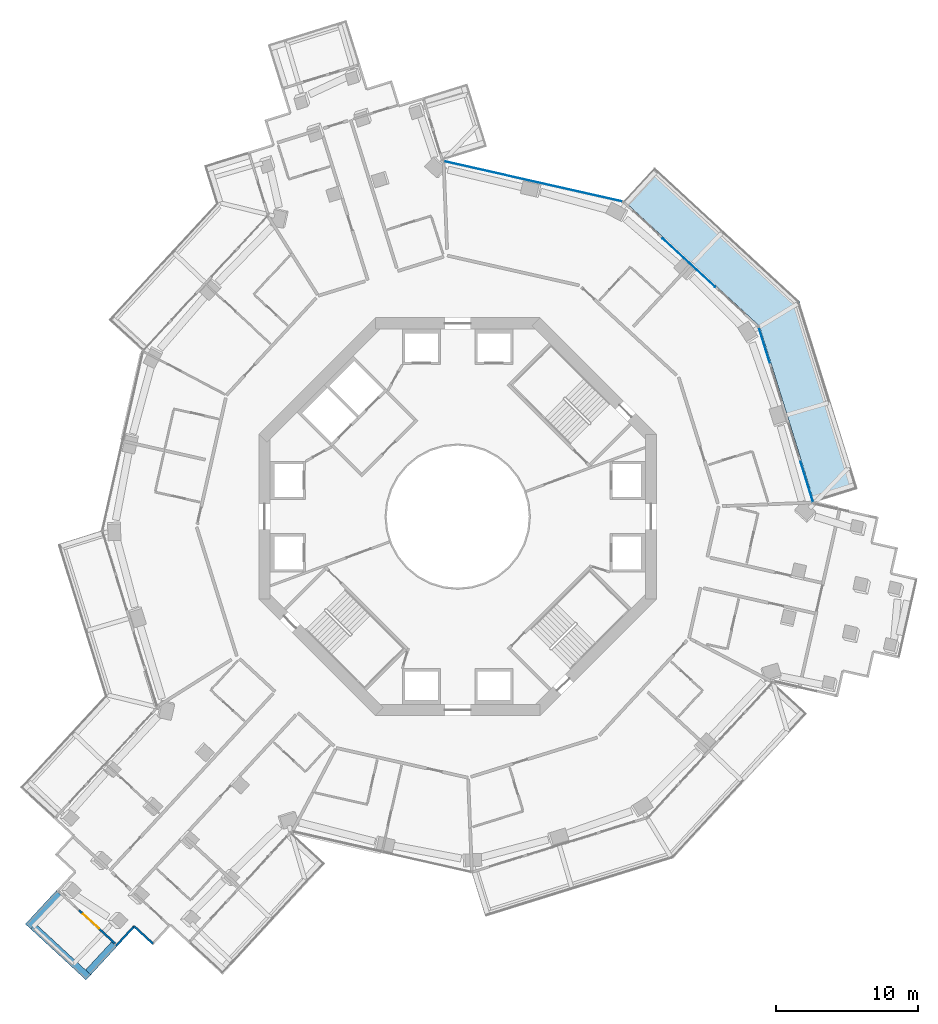
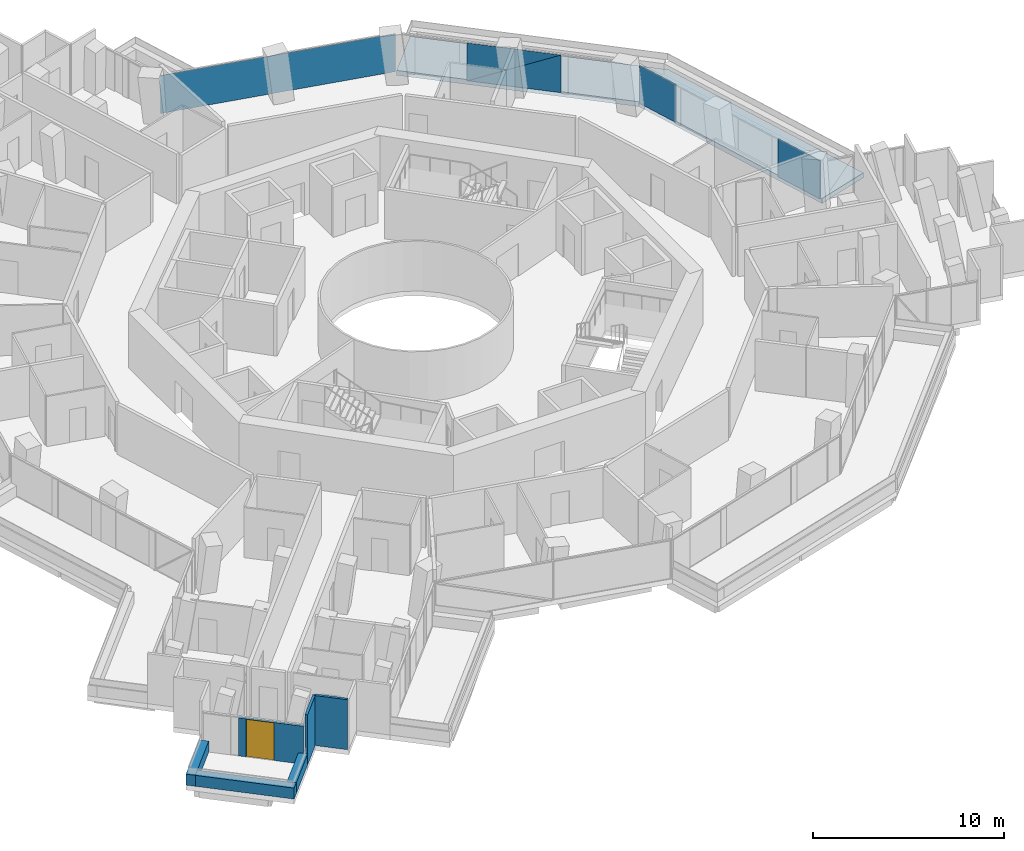
# One storey, part 16 of 25: 6 walls, 5 plates, 1 door, 1 slab, 1 opening, 3 elements without a shape of their own.
"""IFC4 building model written with IfcOpenShell, lengths in metres."""

from ifc_helpers import new_model, si_unit, direction, frame, frame_2d, origin, origin_2d, place, context, subcontext, project, spatial, polyline, rectangle, outline, extrude, material, layer, layer_set, type_object, element, fill, aggregate, save


model = new_model("IFC4")

# Units and contexts
model_context = context("Model", 3, precision=1e-05, world=origin(), true_north=direction((0.0, 1.0)))
body_context = subcontext(model_context, "Body", "Model", "MODEL_VIEW")
ifc_project = project(units=[si_unit("LENGTHUNIT", "METRE"), si_unit("AREAUNIT", "SQUARE_METRE"), si_unit("VOLUMEUNIT", "CUBIC_METRE"), si_unit("PLANEANGLEUNIT", "RADIAN"), si_unit("MASSUNIT", "GRAM", prefix="KILO")], contexts=[model_context])

# Site, building, storey
site_placement = place(None, origin())
site = spatial("IfcSite", under=ifc_project, at=site_placement, CompositionType="ELEMENT")
building_placement = place(site_placement, origin())
building = spatial("IfcBuilding", under=site, at=building_placement, Name="Verdalira Terraces Hotel", CompositionType="ELEMENT")
storey_placement = place(building_placement, frame((0.0, 0.0, 103.5)))
storey = spatial("IfcBuildingStorey", under=building, at=storey_placement, Name="L24", CompositionType="ELEMENT", Elevation=103.5)

# Slab
ifc_material_1 = material(Name="Precast concrete C40/50", Category="concrete")
ifc_layer_1 = layer(ifc_material_1, 0.31005859375)
ifc_layer_set_1 = layer_set([ifc_layer_1], Name="Balcony deck 310")
slab_type = type_object("IfcSlabType", Name="Balcony deck 310", PredefinedType="FLOOR", material=ifc_layer_set_1)
slab_placement = place(storey_placement, frame((0.0, 0.0, -0.310059)))
element("IfcSlab", 1, at=slab_placement, inside=storey, type_object=slab_type, Name="Balcony deck", PredefinedType="FLOOR", context=body_context, shape_type="SweptSolid", body=[
    extrude(outline(polyline([(13.852783, 24.582764), (11.681885, 22.231689), (21.232666, 13.412354), (25.094238, 0.999023), (28.149658, 1.949707), (24.033447, 15.181641), (13.852783, 24.582764)])), origin(), (0.0, 0.0, 1.0), 0.310059),
])

# Curtain wall, plates
ifc_material_2 = material(Name="Clear glass", Category="glass")
ifc_layer_2 = layer(ifc_material_2, 0.14990234375)
ifc_layer_set_2 = layer_set([ifc_layer_2], Name="CW1 curtain wall")
curtain_wall_type = type_object("IfcCurtainWallType", Name="CW1 curtain wall", PredefinedType="NOTDEFINED", material=ifc_layer_set_2)
curtain_wall_1_placement = place(storey_placement, origin())
curtain_wall_1 = element("IfcCurtainWall", 2, at=curtain_wall_1_placement, inside=storey, type_object=curtain_wall_type, Name="CW1 curtain wall L24 edge 39", PredefinedType="NOTDEFINED")
ifc_material_3 = material(Name="Clear glass", Category="glass")
ifc_layer_3 = layer(ifc_material_3, 0.028076171875)
ifc_layer_set_3 = layer_set([ifc_layer_3], Name="CW1 glass unit 28")
plate_type = type_object("IfcPlateType", Name="CW1 glass unit 28", PredefinedType="CURTAIN_PANEL", material=ifc_layer_set_3)
plate_1_placement = place(storey_placement, frame((24.564453, 2.449707, 0.0), z_axis=(0.0, 0.0, 1.0), x_axis=(-0.297041582, 0.954864545, 0.0)))
plate_1 = element("IfcPlate", 3, at=plate_1_placement, type_object=plate_type, Name="CW1 glass unit", PredefinedType="CURTAIN_PANEL", context=body_context, shape_type="SweptSolid", body=[
    extrude(rectangle(XDim=2.965088, YDim=0.028076, at=origin_2d()), origin(), (0.0, 0.0, 1.0), 2.425049),
])
plate_2_placement = place(storey_placement, frame((21.571533, 12.070068, 0.0), z_axis=(0.0, 0.0, 1.0), x_axis=(-0.297041582, 0.954864545, 0.0)))
plate_2 = element("IfcPlate", 4, at=plate_2_placement, type_object=plate_type, Name="CW1 glass unit", PredefinedType="CURTAIN_PANEL", context=body_context, shape_type="SweptSolid", body=[
    extrude(rectangle(XDim=2.564209, YDim=0.028076, at=origin_2d()), origin(), (0.0, 0.0, 1.0), 2.425049),
])
aggregate(curtain_wall_1, [plate_1, plate_2])

curtain_wall_2_placement = place(storey_placement, origin())
curtain_wall_2 = element("IfcCurtainWall", 5, at=curtain_wall_2_placement, inside=storey, type_object=curtain_wall_type, Name="CW1 curtain wall L24 edge 40", PredefinedType="NOTDEFINED")
plate_3_placement = place(storey_placement, frame((16.265381, 17.87793, 1.212402), z_axis=(0.678416162, 0.734677828, 0.0), x_axis=(-0.734677828, 0.678416162, 0.0)))
plate_3 = element("IfcPlate", 6, at=plate_3_placement, type_object=plate_type, Name="CW1 glass unit", PredefinedType="CURTAIN_PANEL", context=body_context, shape_type="SweptSolid", body=[
    extrude(outline(polyline([(-2.510742, -1.212402), (2.510742, -1.212402), (-2.510742, 1.212402), (-2.510742, -1.212402)])), origin(), (0.0, 0.0, 1.0), 0.028076),
])
plate_4_placement = place(storey_placement, frame((16.245605, 17.856445, 1.212402), z_axis=(0.678416162, 0.734677828, 0.0), x_axis=(-0.734677828, 0.678416162, 0.0)))
plate_4 = element("IfcPlate", 7, at=plate_4_placement, type_object=plate_type, Name="CW1 glass unit", PredefinedType="CURTAIN_PANEL", context=body_context, shape_type="SweptSolid", body=[
    extrude(outline(polyline([(2.510742, -1.212402), (2.510742, 1.212402), (-2.510742, 1.212402), (2.510742, -1.212402)])), origin(), (0.0, 0.0, 1.0), 0.028076),
])
aggregate(curtain_wall_2, [plate_3, plate_4])

# Curtain wall, plate
curtain_wall_3_placement = place(storey_placement, origin())
curtain_wall_3 = element("IfcCurtainWall", 8, at=curtain_wall_3_placement, inside=storey, type_object=curtain_wall_type, Name="CW1 curtain wall L24 edge 41", PredefinedType="NOTDEFINED")
plate_5_placement = place(storey_placement, frame((5.305176, 23.594238, 0.0), z_axis=(0.0, 0.0, 1.0), x_axis=(-0.975457744, 0.220186717, 0.0)))
plate_5 = element("IfcPlate", 9, at=plate_5_placement, type_object=plate_type, Name="CW1 glass unit", PredefinedType="CURTAIN_PANEL", context=body_context, shape_type="SweptSolid", body=[
    extrude(rectangle(XDim=12.839844, YDim=0.028076, at=origin_2d()), origin(), (0.0, 0.0, 1.0), 2.425049),
])
aggregate(curtain_wall_3, [plate_5])

# Walls
ifc_material_4 = material(Name="Concrete C40", Category="concrete")
ifc_layer_4 = layer(ifc_material_4, 0.5)
ifc_layer_set_4 = layer_set([ifc_layer_4], Name="Balcony planter trough with tree")
wall_type_1 = type_object("IfcWallType", Name="Balcony planter trough with tree", PredefinedType="SOLIDWALL", material=ifc_layer_set_4)
wall_1_placement = place(storey_placement, frame((-28.06665, -26.488037, 0.0), z_axis=(0.0, 0.0, 1.0), x_axis=(-0.678384697, -0.734706882, 0.0)))
element("IfcWall", 10, at=wall_1_placement, inside=storey, type_object=wall_type_1, Name="Balcony planter", PredefinedType="SOLIDWALL", context=body_context, shape_type="SweptSolid", body=[
    extrude(rectangle(XDim=3.198975, YDim=0.5, at=frame_2d((1.599609, 0.0))), origin(), (0.0, 0.0, 1.0), 0.699951),
])
wall_2_placement = place(storey_placement, frame((-29.883545, -28.824219, 0.0), z_axis=(0.0, 0.0, 1.0), x_axis=(0.734669213, -0.678425492, 0.0)))
element("IfcWall", 11, at=wall_2_placement, inside=storey, type_object=wall_type_1, Name="Balcony planter", PredefinedType="SOLIDWALL", context=body_context, shape_type="SweptSolid", body=[
    extrude(rectangle(XDim=5.300049, YDim=0.5, at=frame_2d((2.649902, 0.0))), origin(), (0.0, 0.0, 1.0), 0.699951),
])
wall_3_placement = place(storey_placement, frame((-26.003906, -32.06665, 0.0), z_axis=(0.0, 0.0, 1.0), x_axis=(0.678415341, 0.734678586, 0.0)))
element("IfcWall", 12, at=wall_3_placement, inside=storey, type_object=wall_type_1, Name="Balcony planter", PredefinedType="SOLIDWALL", context=body_context, shape_type="SweptSolid", body=[
    extrude(rectangle(XDim=2.698975, YDim=0.5, at=frame_2d((1.349609, 0.0))), origin(), (0.0, 0.0, 1.0), 0.699951),
])
ifc_material_5 = material(Name="Terracotta cladding", Category="masonry")
ifc_layer_5 = layer(ifc_material_5, 0.14990234375)
ifc_layer_set_5 = layer_set([ifc_layer_5], Name="Terracotta clad wall 150")
wall_type_2 = type_object("IfcWallType", Name="Terracotta clad wall 150", PredefinedType="SOLIDWALL", material=ifc_layer_set_5)
wall_4_placement = place(storey_placement, frame((-24.043457, -30.20166, 0.0), z_axis=(0.0, 0.0, 1.0), x_axis=(0.678420706, 0.734673632, 0.0)))
element("IfcWall", 13, at=wall_4_placement, inside=storey, type_object=wall_type_2, Name="Terracotta cladding wall", PredefinedType="SOLIDWALL", context=body_context, shape_type="SweptSolid", body=[
    extrude(rectangle(XDim=1.875, YDim=0.149902, at=frame_2d((0.9375, 0.0))), origin(), (0.0, 0.0, 1.0), 3.189941),
])
wall_5_placement = place(storey_placement, frame((-22.771484, -28.824219, 0.0), z_axis=(0.0, 0.0, 1.0), x_axis=(0.73469422, -0.678398411, 0.0)))
element("IfcWall", 14, at=wall_5_placement, inside=storey, type_object=wall_type_2, Name="Terracotta cladding wall", PredefinedType="SOLIDWALL", context=body_context, shape_type="SweptSolid", body=[
    extrude(rectangle(XDim=1.799805, YDim=0.149902, at=frame_2d((0.899902, 0.0))), origin(), (0.0, 0.0, 1.0), 3.189941),
])

# Wall, opening, door
ifc_material_6 = material(Name="Terracotta cladding", Category="masonry")
ifc_layer_6 = layer(ifc_material_6, 0.14990234375)
ifc_layer_set_6 = layer_set([ifc_layer_6], Name="Terracotta door pier 150")
wall_type_3 = type_object("IfcWallType", Name="Terracotta door pier 150", PredefinedType="SOLIDWALL", material=ifc_layer_set_6)
wall_6_placement = place(storey_placement, frame((-26.655762, -27.687256, 0.0), z_axis=(0.0, 0.0, 1.0), x_axis=(0.73469014, -0.678402828, 0.0)))
wall_6 = element("IfcWall", 15, at=wall_6_placement, inside=storey, type_object=wall_type_3, Name="Terracotta door pier", PredefinedType="SOLIDWALL", context=body_context, shape_type="SweptSolid", body=[
    extrude(rectangle(XDim=3.469971, YDim=0.149902, at=frame_2d((1.734863, 0.0))), origin(), (0.0, 0.0, 1.0), 2.425049),
])
opening_placement = place(wall_6_placement, frame((0.399902, 0.0, 0.0)))
opening = element("IfcOpeningElement", 16, at=opening_placement, cuts=wall_6, Name="Opening L24-B10", PredefinedType="OPENING", context=body_context, shape_type="SweptSolid", body=[
    extrude(rectangle(XDim=1.5, YDim=2.399902, at=frame_2d((0.75, 1.199951))), frame((0.0, 0.084961, 0.0), z_axis=(0.0, -1.0, 0.0), x_axis=(1.0, 0.0, 0.0)), (0.0, 0.0, 1.0), 0.169922),
])
ifc_material_7 = material(Name="Clear glass", Category="glass")
door_type = type_object("IfcDoorType", Name="Balcony sliding door 1500x2400", OperationType="NOTDEFINED", PredefinedType="DOOR", material=ifc_material_7)
door_placement = place(opening_placement, origin())
door = element("IfcDoor", 17, at=door_placement, inside=storey, type_object=door_type, Name="Balcony sliding door", OperationType="SLIDING_TO_RIGHT", OverallHeight=2.39990234375, OverallWidth=1.5, PredefinedType="DOOR", context=body_context, shape_type="SweptSolid", body=[
    extrude(rectangle(XDim=1.5, YDim=2.399902, at=frame_2d((0.75, 1.199951))), frame((0.0, 0.024902, 0.0), z_axis=(0.0, -1.0, 0.0), x_axis=(1.0, 0.0, 0.0)), (0.0, 0.0, 1.0), 0.050049),
])
fill(opening, door)

save(model, "model.ifc")
